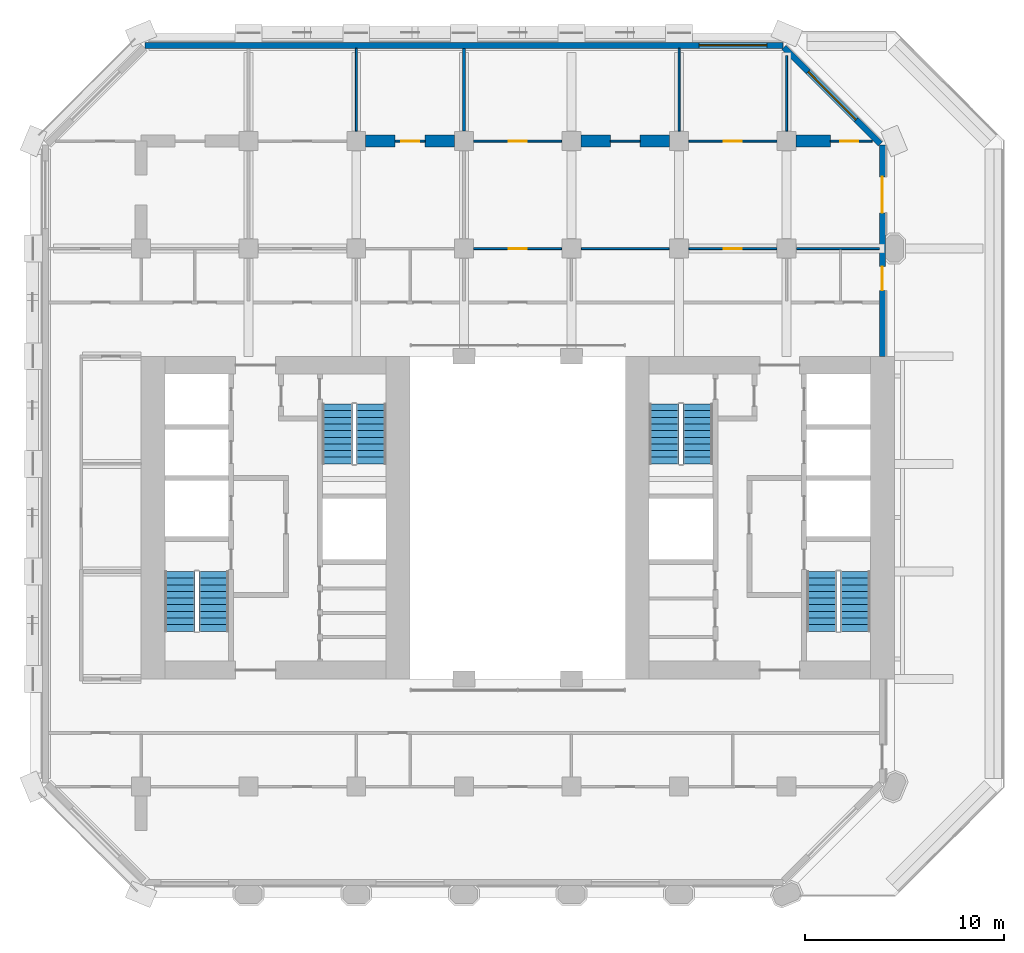
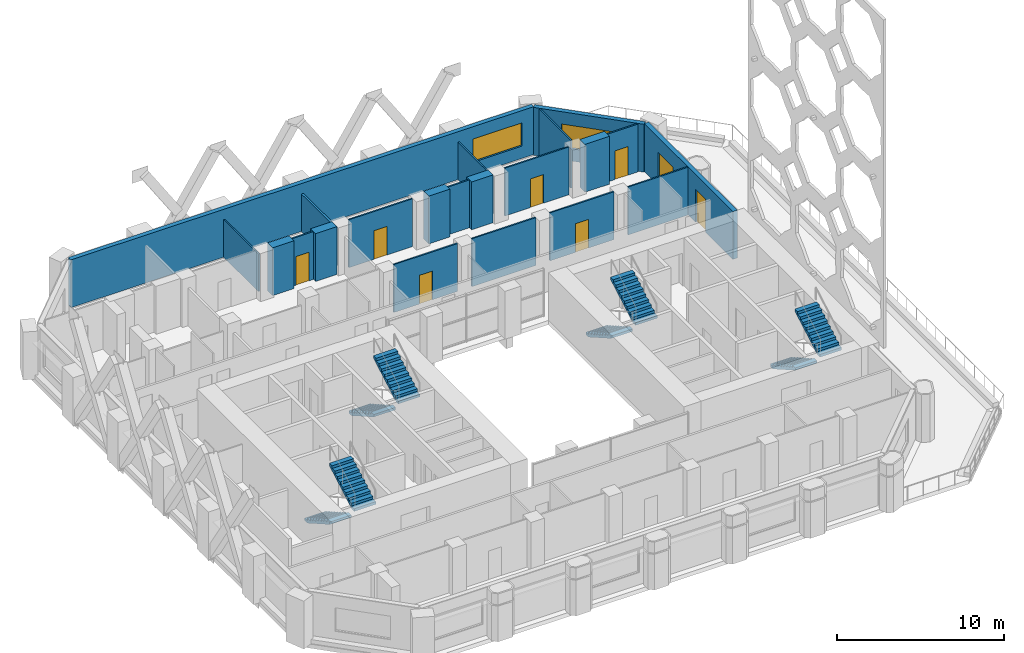
# One storey, part 10 of 14: 21 walls, 8 doors, 8 stair flights, 2 windows, 10 openings, 4 elements without a shape of their own.
"""IFC4 building model written with IfcOpenShell, lengths in metres."""

from ifc_helpers import new_model, si_unit, direction, frame, frame_2d, origin, place, context, subcontext, project, spatial, polyline, rectangle, outline, extrude, material, layer, layer_set, type_object, element, fill, aggregate, save


model = new_model("IFC4")

# Units and contexts
model_context = context("Model", 3, precision=1e-05, world=origin(), true_north=direction((0.0, 1.0)))
body_context = subcontext(model_context, "Body", "Model", "MODEL_VIEW")
ifc_project = project(units=[si_unit("LENGTHUNIT", "METRE"), si_unit("AREAUNIT", "SQUARE_METRE"), si_unit("VOLUMEUNIT", "CUBIC_METRE"), si_unit("PLANEANGLEUNIT", "RADIAN"), si_unit("MASSUNIT", "GRAM", prefix="KILO")], contexts=[model_context])

# Site, building, storey
site_placement = place(None, origin())
site = spatial("IfcSite", under=ifc_project, at=site_placement, CompositionType="ELEMENT")
building_placement = place(site_placement, origin())
building = spatial("IfcBuilding", under=site, at=building_placement, Name="Tabaq Tower and Sports Hall", CompositionType="ELEMENT")
storey_placement = place(building_placement, frame((0.0, 0.0, 95.39990234375)))
storey = spatial("IfcBuildingStorey", under=building, at=storey_placement, Name="L22", CompositionType="ELEMENT", Elevation=95.39990234375)

# Wall, opening, door
ifc_material_1 = material(Name="Gypsum board on steel studs", Category="steel")
ifc_layer_1 = layer(ifc_material_1, 0.10009765625)
ifc_layer_set_1 = layer_set([ifc_layer_1], Name="Partition 100 Gypsum board")
wall_type_1 = type_object("IfcWallType", Name="Partition 100 Gypsum board", PredefinedType="PARTITIONING", material=ifc_layer_set_1)
wall_1_placement = place(storey_placement, frame((19.64990234375, 43.199951171875, 0.0), z_axis=(0.0, 0.0, 1.0), x_axis=(-1.0, 0.0, 0.0)))
wall_1 = element("IfcWall", 1, at=wall_1_placement, inside=storey, type_object=wall_type_1, Name="Partition wall L22", PredefinedType="PARTITIONING", context=body_context, shape_type="SweptSolid", body=[
    extrude(rectangle(XDim=1.5, YDim=0.10009765625, at=frame_2d((0.75, 0.0))), origin(), (0.0, 0.0, 1.0), 3.5),
])
opening_1_placement = place(wall_1_placement, frame((0.300048828125, 0.0, 0.0)))
opening_1 = element("IfcOpeningElement", 2, at=opening_1_placement, cuts=wall_1, Name="Opening L22-013", PredefinedType="OPENING", context=body_context, shape_type="SweptSolid", body=[
    extrude(rectangle(XDim=0.89990234375, YDim=2.10009765625, at=frame_2d((0.449951171875, 1.050048828125))), frame((0.0, 0.050048828125, 0.0), z_axis=(0.0, -1.0, 0.0), x_axis=(1.0, 0.0, 0.0)), (0.0, 0.0, 1.0), 0.10009765625),
])
ifc_material_2 = material(Name="Timber leaf in steel frame", Category="steel")
door_type_1 = type_object("IfcDoorType", Name="Internal door 900 right hand", OperationType="SINGLE_SWING_RIGHT", PredefinedType="DOOR", material=ifc_material_2)
door_1_placement = place(opening_1_placement, origin())
door_1 = element("IfcDoor", 3, at=door_1_placement, inside=storey, type_object=door_type_1, Name="Internal door L22-013", OperationType="SINGLE_SWING_RIGHT", OverallHeight=2.10009765625, OverallWidth=0.89990234375, PredefinedType="DOOR", context=body_context, shape_type="SweptSolid", body=[
    extrude(rectangle(XDim=0.89990234375, YDim=2.10009765625, at=frame_2d((0.449951171875, 1.050048828125))), frame((0.0, 0.02490234375, 0.0), z_axis=(0.0, -1.0, 0.0), x_axis=(1.0, 0.0, 0.0)), (0.0, 0.0, 1.0), 0.050048828125),
])
fill(opening_1, door_1)

# Wall
wall_2_placement = place(storey_placement, frame((16.199951171875, 47.84912109375, 0.0), z_axis=(0.0, 0.0, 1.0), x_axis=(0.0, -1.0, 0.0)))
element("IfcWall", 4, at=wall_2_placement, inside=storey, type_object=wall_type_1, Name="Partition wall L22", PredefinedType="PARTITIONING", context=body_context, shape_type="SweptSolid", body=[
    extrude(rectangle(XDim=4.154052734375, YDim=0.10009765625, at=frame_2d((2.0771484375, 0.0))), origin(), (0.0, 0.0, 1.0), 2.75),
])

# Wall, opening, door
wall_3_placement = place(storey_placement, frame((26.5048828125, 37.800048828125, 0.0), z_axis=(0.0, 0.0, 1.0), x_axis=(-1.0, 0.0, 0.0)))
wall_3 = element("IfcWall", 5, at=wall_3_placement, inside=storey, type_object=wall_type_1, Name="Partition wall L22", PredefinedType="PARTITIONING", context=body_context, shape_type="SweptSolid", body=[
    extrude(rectangle(XDim=4.409912109375, YDim=0.10009765625, at=frame_2d((2.205078125, 0.0))), origin(), (0.0, 0.0, 1.0), 3.5),
])
opening_2_placement = place(wall_3_placement, frame((1.7548828125, 0.0, 0.0)))
opening_2 = element("IfcOpeningElement", 6, at=opening_2_placement, cuts=wall_3, Name="Opening L22-027", PredefinedType="OPENING", context=body_context, shape_type="SweptSolid", body=[
    extrude(rectangle(XDim=0.89990234375, YDim=2.10009765625, at=frame_2d((0.449951171875, 1.050048828125))), frame((0.0, 0.050048828125, 0.0), z_axis=(0.0, -1.0, 0.0), x_axis=(1.0, 0.0, 0.0)), (0.0, 0.0, 1.0), 0.10009765625),
])
door_2_placement = place(opening_2_placement, origin())
door_2 = element("IfcDoor", 7, at=door_2_placement, inside=storey, type_object=door_type_1, Name="Internal door L22-027", OperationType="SINGLE_SWING_RIGHT", OverallHeight=2.10009765625, OverallWidth=0.89990234375, PredefinedType="DOOR", context=body_context, shape_type="SweptSolid", body=[
    extrude(rectangle(XDim=0.89990234375, YDim=2.10009765625, at=frame_2d((0.449951171875, 1.050048828125))), frame((0.0, 0.02490234375, 0.0), z_axis=(0.0, -1.0, 0.0), x_axis=(1.0, 0.0, 0.0)), (0.0, 0.0, 1.0), 0.050048828125),
])
fill(opening_2, door_2)

wall_4_placement = place(storey_placement, frame((37.304931640625, 37.800048828125, 0.0), z_axis=(0.0, 0.0, 1.0), x_axis=(-1.0, 0.0, 0.0)))
wall_4 = element("IfcWall", 8, at=wall_4_placement, inside=storey, type_object=wall_type_1, Name="Partition wall L22", PredefinedType="PARTITIONING", context=body_context, shape_type="SweptSolid", body=[
    extrude(rectangle(XDim=4.409912109375, YDim=0.10009765625, at=frame_2d((2.205078125, 0.0))), origin(), (0.0, 0.0, 1.0), 3.5),
])
opening_3_placement = place(wall_4_placement, frame((1.7548828125, 0.0, 0.0)))
opening_3 = element("IfcOpeningElement", 9, at=opening_3_placement, cuts=wall_4, Name="Opening L22-014", PredefinedType="OPENING", context=body_context, shape_type="SweptSolid", body=[
    extrude(rectangle(XDim=0.89990234375, YDim=2.10009765625, at=frame_2d((0.449951171875, 1.050048828125))), frame((0.0, 0.050048828125, 0.0), z_axis=(0.0, -1.0, 0.0), x_axis=(1.0, 0.0, 0.0)), (0.0, 0.0, 1.0), 0.10009765625),
])
ifc_material_3 = material(Name="Timber leaf in steel frame", Category="steel")
door_type_2 = type_object("IfcDoorType", Name="Internal door 900 left hand", OperationType="SINGLE_SWING_LEFT", PredefinedType="DOOR", material=ifc_material_3)
door_3_placement = place(opening_3_placement, origin())
door_3 = element("IfcDoor", 10, at=door_3_placement, inside=storey, type_object=door_type_2, Name="Internal door L22-014", OperationType="SINGLE_SWING_LEFT", OverallHeight=2.10009765625, OverallWidth=0.89990234375, PredefinedType="DOOR", context=body_context, shape_type="SweptSolid", body=[
    extrude(rectangle(XDim=0.89990234375, YDim=2.10009765625, at=frame_2d((0.449951171875, 1.050048828125))), frame((0.0, 0.02490234375, 0.0), z_axis=(0.0, -1.0, 0.0), x_axis=(1.0, 0.0, 0.0)), (0.0, 0.0, 1.0), 0.050048828125),
])
fill(opening_3, door_3)

# Walls
wall_5_placement = place(storey_placement, frame((31.905029296875, 37.800048828125, 0.0), z_axis=(0.0, 0.0, 1.0), x_axis=(-1.0, 0.0, 0.0)))
element("IfcWall", 11, at=wall_5_placement, inside=storey, type_object=wall_type_1, Name="Partition wall L22", PredefinedType="PARTITIONING", context=body_context, shape_type="SweptSolid", body=[
    extrude(rectangle(XDim=4.409912109375, YDim=0.10009765625, at=frame_2d((2.205078125, 0.0))), origin(), (0.0, 0.0, 1.0), 3.5),
])
wall_6_placement = place(storey_placement, frame((42.448974609375, 37.800048828125, 0.0), z_axis=(0.0, 0.0, 1.0), x_axis=(-1.0, 0.0, 0.0)))
element("IfcWall", 12, at=wall_6_placement, inside=storey, type_object=wall_type_1, Name="Partition wall L22", PredefinedType="PARTITIONING", context=body_context, shape_type="SweptSolid", body=[
    extrude(rectangle(XDim=4.154052734375, YDim=0.10009765625, at=frame_2d((2.0771484375, 0.0))), origin(), (0.0, 0.0, 1.0), 3.5),
])

# Wall, opening, door
wall_7_placement = place(storey_placement, frame((42.087890625, 43.199951171875, 0.0), z_axis=(0.0, 0.0, 1.0), x_axis=(-1.0, 0.0, 0.0)))
wall_7 = element("IfcWall", 13, at=wall_7_placement, inside=storey, type_object=wall_type_1, Name="Partition wall L22", PredefinedType="PARTITIONING", context=body_context, shape_type="SweptSolid", body=[
    extrude(rectangle(XDim=2.100341796875, YDim=0.10009765625, at=frame_2d((1.05029296875, 0.0))), origin(), (0.0, 0.0, 1.0), 3.5),
])
opening_4_placement = place(wall_7_placement, frame((0.68798828125, 0.0, 0.0)))
opening_4 = element("IfcOpeningElement", 14, at=opening_4_placement, cuts=wall_7, Name="Opening L22-028", PredefinedType="OPENING", context=body_context, shape_type="SweptSolid", body=[
    extrude(rectangle(XDim=0.89990234375, YDim=2.10009765625, at=frame_2d((0.449951171875, 1.050048828125))), frame((0.0, 0.050048828125, 0.0), z_axis=(0.0, -1.0, 0.0), x_axis=(1.0, 0.0, 0.0)), (0.0, 0.0, 1.0), 0.10009765625),
])
door_4_placement = place(opening_4_placement, origin())
door_4 = element("IfcDoor", 15, at=door_4_placement, inside=storey, type_object=door_type_2, Name="Internal door L22-028", OperationType="SINGLE_SWING_LEFT", OverallHeight=2.10009765625, OverallWidth=0.89990234375, PredefinedType="DOOR", context=body_context, shape_type="SweptSolid", body=[
    extrude(rectangle(XDim=0.89990234375, YDim=2.10009765625, at=frame_2d((0.449951171875, 1.050048828125))), frame((0.0, 0.02490234375, 0.0), z_axis=(0.0, -1.0, 0.0), x_axis=(1.0, 0.0, 0.0)), (0.0, 0.0, 1.0), 0.050048828125),
])
fill(opening_4, door_4)

wall_8_placement = place(storey_placement, frame((37.304931640625, 43.199951171875, 0.0), z_axis=(0.0, 0.0, 1.0), x_axis=(-1.0, 0.0, 0.0)))
wall_8 = element("IfcWall", 16, at=wall_8_placement, inside=storey, type_object=wall_type_1, Name="Partition wall L22", PredefinedType="PARTITIONING", context=body_context, shape_type="SweptSolid", body=[
    extrude(rectangle(XDim=4.409912109375, YDim=0.10009765625, at=frame_2d((2.205078125, 0.0))), origin(), (0.0, 0.0, 1.0), 3.5),
])
opening_5_placement = place(wall_8_placement, frame((1.7548828125, 0.0, 0.0)))
opening_5 = element("IfcOpeningElement", 17, at=opening_5_placement, cuts=wall_8, Name="Opening L22-016", PredefinedType="OPENING", context=body_context, shape_type="SweptSolid", body=[
    extrude(rectangle(XDim=0.89990234375, YDim=2.10009765625, at=frame_2d((0.449951171875, 1.050048828125))), frame((0.0, 0.050048828125, 0.0), z_axis=(0.0, -1.0, 0.0), x_axis=(1.0, 0.0, 0.0)), (0.0, 0.0, 1.0), 0.10009765625),
])
door_5_placement = place(opening_5_placement, origin())
door_5 = element("IfcDoor", 18, at=door_5_placement, inside=storey, type_object=door_type_2, Name="Internal door L22-016", OperationType="SINGLE_SWING_LEFT", OverallHeight=2.10009765625, OverallWidth=0.89990234375, PredefinedType="DOOR", context=body_context, shape_type="SweptSolid", body=[
    extrude(rectangle(XDim=0.89990234375, YDim=2.10009765625, at=frame_2d((0.449951171875, 1.050048828125))), frame((0.0, 0.02490234375, 0.0), z_axis=(0.0, -1.0, 0.0), x_axis=(1.0, 0.0, 0.0)), (0.0, 0.0, 1.0), 0.050048828125),
])
fill(opening_5, door_5)

# Wall
wall_9_placement = place(storey_placement, frame((30.449951171875, 43.199951171875, 0.0), z_axis=(0.0, 0.0, 1.0), x_axis=(-1.0, 0.0, 0.0)))
element("IfcWall", 19, at=wall_9_placement, inside=storey, type_object=wall_type_1, Name="Partition wall L22", PredefinedType="PARTITIONING", context=body_context, shape_type="SweptSolid", body=[
    extrude(rectangle(XDim=1.5, YDim=0.10009765625, at=frame_2d((0.75, 0.0))), origin(), (0.0, 0.0, 1.0), 3.5),
])

# Wall, opening, door
wall_10_placement = place(storey_placement, frame((26.5048828125, 43.199951171875, 0.0), z_axis=(0.0, 0.0, 1.0), x_axis=(-1.0, 0.0, 0.0)))
wall_10 = element("IfcWall", 20, at=wall_10_placement, inside=storey, type_object=wall_type_1, Name="Partition wall L22", PredefinedType="PARTITIONING", context=body_context, shape_type="SweptSolid", body=[
    extrude(rectangle(XDim=4.409912109375, YDim=0.10009765625, at=frame_2d((2.205078125, 0.0))), origin(), (0.0, 0.0, 1.0), 3.5),
])
opening_6_placement = place(wall_10_placement, frame((1.7548828125, 0.0, 0.0)))
opening_6 = element("IfcOpeningElement", 21, at=opening_6_placement, cuts=wall_10, Name="Opening L22-015", PredefinedType="OPENING", context=body_context, shape_type="SweptSolid", body=[
    extrude(rectangle(XDim=0.89990234375, YDim=2.10009765625, at=frame_2d((0.449951171875, 1.050048828125))), frame((0.0, 0.050048828125, 0.0), z_axis=(0.0, -1.0, 0.0), x_axis=(1.0, 0.0, 0.0)), (0.0, 0.0, 1.0), 0.10009765625),
])
door_6_placement = place(opening_6_placement, origin())
door_6 = element("IfcDoor", 22, at=door_6_placement, inside=storey, type_object=door_type_2, Name="Internal door L22-015", OperationType="SINGLE_SWING_LEFT", OverallHeight=2.10009765625, OverallWidth=0.89990234375, PredefinedType="DOOR", context=body_context, shape_type="SweptSolid", body=[
    extrude(rectangle(XDim=0.89990234375, YDim=2.10009765625, at=frame_2d((0.449951171875, 1.050048828125))), frame((0.0, 0.02490234375, 0.0), z_axis=(0.0, -1.0, 0.0), x_axis=(1.0, 0.0, 0.0)), (0.0, 0.0, 1.0), 0.050048828125),
])
fill(opening_6, door_6)

# Walls
wall_11_placement = place(storey_placement, frame((32.39990234375, 47.84912109375, 0.0), z_axis=(0.0, 0.0, 1.0), x_axis=(0.0, -1.0, 0.0)))
element("IfcWall", 23, at=wall_11_placement, inside=storey, type_object=wall_type_1, Name="Partition wall L22", PredefinedType="PARTITIONING", context=body_context, shape_type="SweptSolid", body=[
    extrude(rectangle(XDim=4.154052734375, YDim=0.10009765625, at=frame_2d((2.0771484375, 0.0))), origin(), (0.0, 0.0, 1.0), 2.75),
])
wall_12_placement = place(storey_placement, frame((37.800048828125, 43.695068359375, 0.0), z_axis=(0.0, 0.0, 1.0), x_axis=(0.0, 1.0, 0.0)))
element("IfcWall", 24, at=wall_12_placement, inside=storey, type_object=wall_type_1, Name="Partition wall L22", PredefinedType="PARTITIONING", context=body_context, shape_type="SweptSolid", body=[
    extrude(rectangle(XDim=3.792724609375, YDim=0.10009765625, at=frame_2d((1.896484375, 0.0))), origin(), (0.0, 0.0, 1.0), 3.5),
])
ifc_material_4 = material(Name="Concrete C60/75", Category="concrete")
ifc_layer_2 = layer(ifc_material_4, 0.60009765625)
ifc_layer_set_2 = layer_set([ifc_layer_2], Name="RC TRANSFER WALL 600 C60/75")
wall_type_2 = type_object("IfcWallType", Name="RC TRANSFER WALL 600 C60/75", PredefinedType="SHEAR", material=ifc_layer_set_2)
wall_13_placement = place(storey_placement, frame((16.675048828125, 43.199951171875, 0.0), z_axis=(0.0, 0.0, 1.0), x_axis=(1.0, 0.0, 0.0)))
element("IfcWall", 25, at=wall_13_placement, inside=storey, type_object=wall_type_2, Name="Transfer Wall L22 North 7", PredefinedType="SHEAR", context=body_context, shape_type="SweptSolid", body=[
    extrude(rectangle(XDim=1.474853515625, YDim=0.60009765625, at=frame_2d((0.7373046875, 0.0))), origin(), (0.0, 0.0, 1.0), 3.5),
])
wall_14_placement = place(storey_placement, frame((19.64990234375, 43.199951171875, 0.0), z_axis=(0.0, 0.0, 1.0), x_axis=(1.0, 0.0, 0.0)))
element("IfcWall", 26, at=wall_14_placement, inside=storey, type_object=wall_type_2, Name="Transfer Wall L22 North 8", PredefinedType="SHEAR", context=body_context, shape_type="SweptSolid", body=[
    extrude(rectangle(XDim=1.47509765625, YDim=0.60009765625, at=frame_2d((0.737548828125, 0.0))), origin(), (0.0, 0.0, 1.0), 3.5),
])
wall_15_placement = place(storey_placement, frame((27.47509765625, 43.199951171875, 0.0), z_axis=(0.0, 0.0, 1.0), x_axis=(1.0, 0.0, 0.0)))
element("IfcWall", 27, at=wall_15_placement, inside=storey, type_object=wall_type_2, Name="Transfer Wall L22 North 9", PredefinedType="SHEAR", context=body_context, shape_type="SweptSolid", body=[
    extrude(rectangle(XDim=1.474853515625, YDim=0.60009765625, at=frame_2d((0.7373046875, 0.0))), origin(), (0.0, 0.0, 1.0), 3.5),
])
wall_16_placement = place(storey_placement, frame((30.449951171875, 43.199951171875, 0.0), z_axis=(0.0, 0.0, 1.0), x_axis=(1.0, 0.0, 0.0)))
element("IfcWall", 28, at=wall_16_placement, inside=storey, type_object=wall_type_2, Name="Transfer Wall L22 North 10", PredefinedType="SHEAR", context=body_context, shape_type="SweptSolid", body=[
    extrude(rectangle(XDim=1.47509765625, YDim=0.60009765625, at=frame_2d((0.737548828125, 0.0))), origin(), (0.0, 0.0, 1.0), 3.5),
])
wall_17_placement = place(storey_placement, frame((38.27490234375, 43.199951171875, 0.0), z_axis=(0.0, 0.0, 1.0), x_axis=(1.0, 0.0, 0.0)))
element("IfcWall", 29, at=wall_17_placement, inside=storey, type_object=wall_type_2, Name="Transfer Wall L22 North 11", PredefinedType="SHEAR", context=body_context, shape_type="SweptSolid", body=[
    extrude(rectangle(XDim=1.712646484375, YDim=0.60009765625, at=frame_2d((0.8564453125, 0.0))), origin(), (0.0, 0.0, 1.0), 3.5),
])
ifc_material_5 = material(Name="Blockwork", Category="masonry")
ifc_layer_3 = layer(ifc_material_5, 0.14990234375)
ifc_layer_set_3 = layer_set([ifc_layer_3], Name="Separating wall 150 Blockwork")
wall_type_3 = type_object("IfcWallType", Name="Separating wall 150 Blockwork", PredefinedType="PARTITIONING", material=ifc_layer_set_3)
wall_18_placement = place(storey_placement, frame((21.60009765625, 47.84912109375, 0.0), z_axis=(0.0, 0.0, 1.0), x_axis=(0.0, -1.0, 0.0)))
element("IfcWall", 30, at=wall_18_placement, inside=storey, type_object=wall_type_3, Name="Separating wall L22", PredefinedType="PARTITIONING", context=body_context, shape_type="SweptSolid", body=[
    extrude(rectangle(XDim=4.154052734375, YDim=0.14990234375, at=frame_2d((2.0771484375, 0.0))), origin(), (0.0, 0.0, 1.0), 2.75),
])

# Wall, openings, doors
ifc_material_6 = material(Name="White precast concrete C60/75", Category="concrete")
ifc_layer_4 = layer(ifc_material_6, 0.300048828125)
ifc_layer_set_4 = layer_set([ifc_layer_4], Name="White precast concrete C60/75 external wall 300")
wall_type_4 = type_object("IfcWallType", Name="White precast concrete C60/75 external wall 300", PredefinedType="SOLIDWALL", material=ifc_layer_set_4)
wall_19_placement = place(storey_placement, frame((42.60009765625, 32.39990234375, 0.0), z_axis=(0.0, 0.0, 1.0), x_axis=(0.0, 1.0, 0.0)))
wall_19 = element("IfcWall", 31, at=wall_19_placement, inside=storey, type_object=wall_type_4, Name="External Wall L22 E", PredefinedType="SOLIDWALL", context=body_context, shape_type="SweptSolid", body=[
    extrude(rectangle(XDim=10.61376953125, YDim=0.300048828125, at=frame_2d((5.306884765625, 0.0))), origin(), (0.0, 0.0, 1.0), 3.5),
])
opening_7_placement = place(wall_19_placement, frame((3.300048828125, 0.0, 0.0)))
opening_7 = element("IfcOpeningElement", 32, at=opening_7_placement, cuts=wall_19, Name="Opening TD2202", PredefinedType="OPENING", context=body_context, shape_type="SweptSolid", body=[
    extrude(rectangle(XDim=1.199951171875, YDim=2.39990234375, at=frame_2d((0.60009765625, 1.199951171875))), frame((0.0, 0.16015625, 0.0), z_axis=(0.0, -1.0, 0.0), x_axis=(1.0, 0.0, 0.0)), (0.0, 0.0, 1.0), 0.320068359375),
])
opening_8_placement = place(wall_19_placement, frame((7.199951171875, 0.0, 0.0)))
opening_8 = element("IfcOpeningElement", 33, at=opening_8_placement, cuts=wall_19, Name="Opening TD2203", PredefinedType="OPENING", context=body_context, shape_type="SweptSolid", body=[
    extrude(rectangle(XDim=1.800048828125, YDim=2.39990234375, at=frame_2d((0.89990234375, 1.199951171875))), frame((0.0, 0.16015625, 0.0), z_axis=(0.0, -1.0, 0.0), x_axis=(1.0, 0.0, 0.0)), (0.0, 0.0, 1.0), 0.320068359375),
])
ifc_material_7 = material(Name="Aluminium framed clear glazing", Category="aluminium")
door_type_3 = type_object("IfcDoorType", Name="Terrace door TD1", OperationType="DOUBLE_DOOR_DOUBLE_SWING", PredefinedType="DOOR", material=ifc_material_7)
door_7_placement = place(opening_8_placement, origin())
door_7 = element("IfcDoor", 34, at=door_7_placement, inside=storey, type_object=door_type_3, Name="Terrace door TD2203", OperationType="DOUBLE_DOOR_DOUBLE_SWING", OverallHeight=2.39990234375, OverallWidth=1.800048828125, PredefinedType="DOOR", context=body_context, shape_type="SweptSolid", body=[
    extrude(rectangle(XDim=1.800048828125, YDim=2.39990234375, at=frame_2d((0.89990234375, 1.199951171875))), frame((0.0, 0.02490234375, 0.0), z_axis=(0.0, -1.0, 0.0), x_axis=(1.0, 0.0, 0.0)), (0.0, 0.0, 1.0), 0.050048828125),
])
fill(opening_8, door_7)
ifc_material_8 = material(Name="Aluminium framed clear glazing", Category="aluminium")
door_type_4 = type_object("IfcDoorType", Name="Terrace door TD2", OperationType="SINGLE_SWING_LEFT", PredefinedType="DOOR", material=ifc_material_8)
door_8_placement = place(opening_7_placement, origin())
door_8 = element("IfcDoor", 35, at=door_8_placement, inside=storey, type_object=door_type_4, Name="Terrace door TD2202", OperationType="SINGLE_SWING_LEFT", OverallHeight=2.39990234375, OverallWidth=1.199951171875, PredefinedType="DOOR", context=body_context, shape_type="SweptSolid", body=[
    extrude(rectangle(XDim=1.199951171875, YDim=2.39990234375, at=frame_2d((0.60009765625, 1.199951171875))), frame((0.0, 0.02490234375, 0.0), z_axis=(0.0, -1.0, 0.0), x_axis=(1.0, 0.0, 0.0)), (0.0, 0.0, 1.0), 0.050048828125),
])
fill(opening_7, door_8)

# Wall, opening, window
wall_20_placement = place(storey_placement, frame((42.5009765625, 43.050537109375, 0.0), z_axis=(0.0, 0.0, 1.0), x_axis=(-0.707106781187, 0.707106781187, 0.0)))
wall_20 = element("IfcWall", 36, at=wall_20_placement, inside=storey, type_object=wall_type_4, Name="External Wall L22 NE", PredefinedType="SOLIDWALL", context=body_context, shape_type="SweptSolid", body=[
    extrude(rectangle(XDim=6.85986328125, YDim=0.300048828125, at=frame_2d((3.429931640625, 0.0))), origin(), (0.0, 0.0, 1.0), 3.5),
])
opening_9_placement = place(wall_20_placement, frame((1.729736328125, 0.0, 0.89990234375)))
opening_9 = element("IfcOpeningElement", 37, at=opening_9_placement, cuts=wall_20, Name="Opening W1A", PredefinedType="OPENING", context=body_context, shape_type="SweptSolid", body=[
    extrude(rectangle(XDim=3.39990234375, YDim=1.699951171875, at=frame_2d((1.699951171875, 0.85009765625))), frame((0.0, 0.16015625, 0.0), z_axis=(0.0, -1.0, 0.0), x_axis=(1.0, 0.0, 0.0)), (0.0, 0.0, 1.0), 0.320068359375),
])
ifc_material_9 = material(Name="Aluminium framed clear glazing", Category="aluminium")
window_type = type_object("IfcWindowType", Name="Window W1A", PartitioningType="SINGLE_PANEL", PredefinedType="WINDOW", material=ifc_material_9)
window_1_placement = place(opening_9_placement, origin())
window_1 = element("IfcWindow", 38, at=window_1_placement, inside=storey, type_object=window_type, Name="Window W1A L22", OverallHeight=1.699951171875, OverallWidth=3.39990234375, PartitioningType="SINGLE_PANEL", PredefinedType="WINDOW", context=body_context, shape_type="SweptSolid", body=[
    extrude(rectangle(XDim=3.39990234375, YDim=1.699951171875, at=frame_2d((1.699951171875, 0.85009765625))), frame((0.0, 0.030029296875, 0.0), z_axis=(0.0, -1.0, 0.0), x_axis=(1.0, 0.0, 0.0)), (0.0, 0.0, 1.0), 0.06005859375),
])
fill(opening_9, window_1)

wall_21_placement = place(storey_placement, frame((37.613525390625, 48.0, 0.0), z_axis=(0.0, 0.0, 1.0), x_axis=(-1.0, 0.0, 0.0)))
wall_21 = element("IfcWall", 39, at=wall_21_placement, inside=storey, type_object=wall_type_4, Name="External Wall L22 N", PredefinedType="SOLIDWALL", context=body_context, shape_type="SweptSolid", body=[
    extrude(rectangle(XDim=32.027099609375, YDim=0.300048828125, at=frame_2d((16.013671875, 0.0))), origin(), (0.0, 0.0, 1.0), 3.5),
])
opening_10_placement = place(wall_21_placement, frame((0.813720703125, 0.0, 0.89990234375)))
opening_10 = element("IfcOpeningElement", 40, at=opening_10_placement, cuts=wall_21, Name="Opening W1A", PredefinedType="OPENING", context=body_context, shape_type="SweptSolid", body=[
    extrude(rectangle(XDim=3.39990234375, YDim=1.699951171875, at=frame_2d((1.699951171875, 0.85009765625))), frame((0.0, 0.16015625, 0.0), z_axis=(0.0, -1.0, 0.0), x_axis=(1.0, 0.0, 0.0)), (0.0, 0.0, 1.0), 0.320068359375),
])
window_2_placement = place(opening_10_placement, origin())
window_2 = element("IfcWindow", 41, at=window_2_placement, inside=storey, type_object=window_type, Name="Window W1A L22", OverallHeight=1.699951171875, OverallWidth=3.39990234375, PartitioningType="SINGLE_PANEL", PredefinedType="WINDOW", context=body_context, shape_type="SweptSolid", body=[
    extrude(rectangle(XDim=3.39990234375, YDim=1.699951171875, at=frame_2d((1.699951171875, 0.85009765625))), frame((0.0, 0.030029296875, 0.0), z_axis=(0.0, -1.0, 0.0), x_axis=(1.0, 0.0, 0.0)), (0.0, 0.0, 1.0), 0.06005859375),
])
fill(opening_10, window_2)

# Stair, stair flights
ifc_material_10 = material(Name="Concrete C40/50", Category="concrete")
stair_type = type_object("IfcStairType", Name="Exit stair", PredefinedType="HALF_TURN_STAIR", material=ifc_material_10)
stair_1_placement = place(storey_placement, origin())
stair_1 = element("IfcStair", 42, at=stair_1_placement, inside=storey, type_object=stair_type, Name="L22 Exit stair ST1", PredefinedType="HALF_TURN_STAIR")
ifc_material_11 = material(Name="Concrete C40/50", Category="concrete")
stair_flight_type = type_object("IfcStairFlightType", Name="Exit stair flight", PredefinedType="STRAIGHT", material=ifc_material_11)
stair_flight_1_placement = place(storey_placement, frame((7.35009765625, 21.60009765625, 0.0), z_axis=(0.0, 0.0, 1.0), x_axis=(0.0, -1.0, 0.0)))
stair_flight_1 = element("IfcStairFlight", 43, at=stair_flight_1_placement, type_object=stair_flight_type, Name="ST1 flight 1", NumberOfRisers=10, NumberOfTreads=9, PredefinedType="STRAIGHT", RiserHeight=0.19, TreadLength=0.333333333, context=body_context, shape_type="SweptSolid", body=[
    extrude(outline(polyline([(0.0, 0.0), (0.0, 0.18994140625), (0.333251953125, 0.18994140625), (0.333251953125, 0.3798828125), (0.666748046875, 0.3798828125), (0.666748046875, 0.570068359375), (1.0, 0.570068359375), (1.0, 0.760009765625), (1.333251953125, 0.760009765625), (1.333251953125, 0.949951171875), (1.666748046875, 0.949951171875), (1.666748046875, 1.139892578125), (2.0, 1.139892578125), (2.0, 1.330078125), (2.333251953125, 1.330078125), (2.333251953125, 1.52001953125), (2.666748046875, 1.52001953125), (2.666748046875, 1.7099609375), (3.0, 1.7099609375), (3.0, 1.89990234375), (3.0, 1.537353515625), (0.302734375, 0.0), (0.0, 0.0)])), frame((0.0, 0.75, 0.0), z_axis=(0.0, -1.0, 0.0), x_axis=(1.0, 0.0, 0.0)), (0.0, 0.0, 1.0), 1.5),
])
stair_flight_2_placement = place(storey_placement, frame((9.050048828125, 18.60009765625, 1.900146484375), z_axis=(0.0, 0.0, 1.0), x_axis=(0.0, 1.0, 0.0)))
stair_flight_2 = element("IfcStairFlight", 44, at=stair_flight_2_placement, type_object=stair_flight_type, Name="ST1 flight 2", NumberOfRisers=10, NumberOfTreads=9, PredefinedType="STRAIGHT", RiserHeight=0.19, TreadLength=0.333333333, context=body_context, shape_type="SweptSolid", body=[
    extrude(outline(polyline([(0.0, 0.0), (0.0, 0.18994140625), (0.333251953125, 0.18994140625), (0.333251953125, 0.3798828125), (0.666748046875, 0.3798828125), (0.666748046875, 0.570068359375), (1.0, 0.570068359375), (1.0, 0.760009765625), (1.333251953125, 0.760009765625), (1.333251953125, 0.949951171875), (1.666748046875, 0.949951171875), (1.666748046875, 1.139892578125), (2.0, 1.139892578125), (2.0, 1.330078125), (2.333251953125, 1.330078125), (2.333251953125, 1.52001953125), (2.666748046875, 1.52001953125), (2.666748046875, 1.7099609375), (3.0, 1.7099609375), (3.0, 1.89990234375), (3.0, 1.537353515625), (0.302734375, 0.0), (0.0, 0.0)])), frame((0.0, 0.75, 0.0), z_axis=(0.0, -1.0, 0.0), x_axis=(1.0, 0.0, 0.0)), (0.0, 0.0, 1.0), 1.5),
])
aggregate(stair_1, [stair_flight_1, stair_flight_2])

stair_2_placement = place(storey_placement, origin())
stair_2 = element("IfcStair", 45, at=stair_2_placement, inside=storey, type_object=stair_type, Name="L22 Exit stair ST2", PredefinedType="HALF_TURN_STAIR")
stair_flight_3_placement = place(storey_placement, frame((15.25, 30.0, 0.0), z_axis=(0.0, 0.0, 1.0), x_axis=(0.0, -1.0, 0.0)))
stair_flight_3 = element("IfcStairFlight", 46, at=stair_flight_3_placement, type_object=stair_flight_type, Name="ST2 flight 1", NumberOfRisers=10, NumberOfTreads=9, PredefinedType="STRAIGHT", RiserHeight=0.19, TreadLength=0.333333333, context=body_context, shape_type="SweptSolid", body=[
    extrude(outline(polyline([(0.0, 0.0), (0.0, 0.18994140625), (0.333251953125, 0.18994140625), (0.333251953125, 0.3798828125), (0.666748046875, 0.3798828125), (0.666748046875, 0.570068359375), (1.0, 0.570068359375), (1.0, 0.760009765625), (1.333251953125, 0.760009765625), (1.333251953125, 0.949951171875), (1.666748046875, 0.949951171875), (1.666748046875, 1.139892578125), (2.0, 1.139892578125), (2.0, 1.330078125), (2.333251953125, 1.330078125), (2.333251953125, 1.52001953125), (2.666748046875, 1.52001953125), (2.666748046875, 1.7099609375), (3.0, 1.7099609375), (3.0, 1.89990234375), (3.0, 1.537353515625), (0.302734375, 0.0), (0.0, 0.0)])), frame((0.0, 0.75, 0.0), z_axis=(0.0, -1.0, 0.0), x_axis=(1.0, 0.0, 0.0)), (0.0, 0.0, 1.0), 1.5),
])
stair_flight_4_placement = place(storey_placement, frame((16.949951171875, 27.0, 1.900146484375), z_axis=(0.0, 0.0, 1.0), x_axis=(0.0, 1.0, 0.0)))
stair_flight_4 = element("IfcStairFlight", 47, at=stair_flight_4_placement, type_object=stair_flight_type, Name="ST2 flight 2", NumberOfRisers=10, NumberOfTreads=9, PredefinedType="STRAIGHT", RiserHeight=0.19, TreadLength=0.333333333, context=body_context, shape_type="SweptSolid", body=[
    extrude(outline(polyline([(0.0, 0.0), (0.0, 0.18994140625), (0.333251953125, 0.18994140625), (0.333251953125, 0.3798828125), (0.666748046875, 0.3798828125), (0.666748046875, 0.570068359375), (1.0, 0.570068359375), (1.0, 0.760009765625), (1.333251953125, 0.760009765625), (1.333251953125, 0.949951171875), (1.666748046875, 0.949951171875), (1.666748046875, 1.139892578125), (2.0, 1.139892578125), (2.0, 1.330078125), (2.333251953125, 1.330078125), (2.333251953125, 1.52001953125), (2.666748046875, 1.52001953125), (2.666748046875, 1.7099609375), (3.0, 1.7099609375), (3.0, 1.89990234375), (3.0, 1.537353515625), (0.302734375, 0.0), (0.0, 0.0)])), frame((0.0, 0.75, 0.0), z_axis=(0.0, -1.0, 0.0), x_axis=(1.0, 0.0, 0.0)), (0.0, 0.0, 1.0), 1.5),
])
aggregate(stair_2, [stair_flight_3, stair_flight_4])

stair_3_placement = place(storey_placement, origin())
stair_3 = element("IfcStair", 48, at=stair_3_placement, inside=storey, type_object=stair_type, Name="L22 Exit stair ST3", PredefinedType="HALF_TURN_STAIR")
stair_flight_5_placement = place(storey_placement, frame((39.550048828125, 21.60009765625, 0.0), z_axis=(0.0, 0.0, 1.0), x_axis=(0.0, -1.0, 0.0)))
stair_flight_5 = element("IfcStairFlight", 49, at=stair_flight_5_placement, type_object=stair_flight_type, Name="ST3 flight 1", NumberOfRisers=10, NumberOfTreads=9, PredefinedType="STRAIGHT", RiserHeight=0.19, TreadLength=0.333333333, context=body_context, shape_type="SweptSolid", body=[
    extrude(outline(polyline([(0.0, 0.0), (0.0, 0.18994140625), (0.333251953125, 0.18994140625), (0.333251953125, 0.3798828125), (0.666748046875, 0.3798828125), (0.666748046875, 0.570068359375), (1.0, 0.570068359375), (1.0, 0.760009765625), (1.333251953125, 0.760009765625), (1.333251953125, 0.949951171875), (1.666748046875, 0.949951171875), (1.666748046875, 1.139892578125), (2.0, 1.139892578125), (2.0, 1.330078125), (2.333251953125, 1.330078125), (2.333251953125, 1.52001953125), (2.666748046875, 1.52001953125), (2.666748046875, 1.7099609375), (3.0, 1.7099609375), (3.0, 1.89990234375), (3.0, 1.537353515625), (0.302734375, 0.0), (0.0, 0.0)])), frame((0.0, 0.75, 0.0), z_axis=(0.0, -1.0, 0.0), x_axis=(1.0, 0.0, 0.0)), (0.0, 0.0, 1.0), 1.5),
])
stair_flight_6_placement = place(storey_placement, frame((41.25, 18.60009765625, 1.900146484375), z_axis=(0.0, 0.0, 1.0), x_axis=(0.0, 1.0, 0.0)))
stair_flight_6 = element("IfcStairFlight", 50, at=stair_flight_6_placement, type_object=stair_flight_type, Name="ST3 flight 2", NumberOfRisers=10, NumberOfTreads=9, PredefinedType="STRAIGHT", RiserHeight=0.19, TreadLength=0.333333333, context=body_context, shape_type="SweptSolid", body=[
    extrude(outline(polyline([(0.0, 0.0), (0.0, 0.18994140625), (0.333251953125, 0.18994140625), (0.333251953125, 0.3798828125), (0.666748046875, 0.3798828125), (0.666748046875, 0.570068359375), (1.0, 0.570068359375), (1.0, 0.760009765625), (1.333251953125, 0.760009765625), (1.333251953125, 0.949951171875), (1.666748046875, 0.949951171875), (1.666748046875, 1.139892578125), (2.0, 1.139892578125), (2.0, 1.330078125), (2.333251953125, 1.330078125), (2.333251953125, 1.52001953125), (2.666748046875, 1.52001953125), (2.666748046875, 1.7099609375), (3.0, 1.7099609375), (3.0, 1.89990234375), (3.0, 1.537353515625), (0.302734375, 0.0), (0.0, 0.0)])), frame((0.0, 0.75, 0.0), z_axis=(0.0, -1.0, 0.0), x_axis=(1.0, 0.0, 0.0)), (0.0, 0.0, 1.0), 1.5),
])
aggregate(stair_3, [stair_flight_5, stair_flight_6])

stair_4_placement = place(storey_placement, origin())
stair_4 = element("IfcStair", 51, at=stair_4_placement, inside=storey, type_object=stair_type, Name="L22 Exit stair ST4", PredefinedType="HALF_TURN_STAIR")
stair_flight_7_placement = place(storey_placement, frame((31.64990234375, 30.0, 0.0), z_axis=(0.0, 0.0, 1.0), x_axis=(0.0, -1.0, 0.0)))
stair_flight_7 = element("IfcStairFlight", 52, at=stair_flight_7_placement, type_object=stair_flight_type, Name="ST4 flight 1", NumberOfRisers=10, NumberOfTreads=9, PredefinedType="STRAIGHT", RiserHeight=0.19, TreadLength=0.333333333, context=body_context, shape_type="SweptSolid", body=[
    extrude(outline(polyline([(0.0, 0.0), (0.0, 0.18994140625), (0.333251953125, 0.18994140625), (0.333251953125, 0.3798828125), (0.666748046875, 0.3798828125), (0.666748046875, 0.570068359375), (1.0, 0.570068359375), (1.0, 0.760009765625), (1.333251953125, 0.760009765625), (1.333251953125, 0.949951171875), (1.666748046875, 0.949951171875), (1.666748046875, 1.139892578125), (2.0, 1.139892578125), (2.0, 1.330078125), (2.333251953125, 1.330078125), (2.333251953125, 1.52001953125), (2.666748046875, 1.52001953125), (2.666748046875, 1.7099609375), (3.0, 1.7099609375), (3.0, 1.89990234375), (3.0, 1.537353515625), (0.302734375, 0.0), (0.0, 0.0)])), frame((0.0, 0.75, 0.0), z_axis=(0.0, -1.0, 0.0), x_axis=(1.0, 0.0, 0.0)), (0.0, 0.0, 1.0), 1.5),
])
stair_flight_8_placement = place(storey_placement, frame((33.35009765625, 27.0, 1.900146484375), z_axis=(0.0, 0.0, 1.0), x_axis=(0.0, 1.0, 0.0)))
stair_flight_8 = element("IfcStairFlight", 53, at=stair_flight_8_placement, type_object=stair_flight_type, Name="ST4 flight 2", NumberOfRisers=10, NumberOfTreads=9, PredefinedType="STRAIGHT", RiserHeight=0.19, TreadLength=0.333333333, context=body_context, shape_type="SweptSolid", body=[
    extrude(outline(polyline([(0.0, 0.0), (0.0, 0.18994140625), (0.333251953125, 0.18994140625), (0.333251953125, 0.3798828125), (0.666748046875, 0.3798828125), (0.666748046875, 0.570068359375), (1.0, 0.570068359375), (1.0, 0.760009765625), (1.333251953125, 0.760009765625), (1.333251953125, 0.949951171875), (1.666748046875, 0.949951171875), (1.666748046875, 1.139892578125), (2.0, 1.139892578125), (2.0, 1.330078125), (2.333251953125, 1.330078125), (2.333251953125, 1.52001953125), (2.666748046875, 1.52001953125), (2.666748046875, 1.7099609375), (3.0, 1.7099609375), (3.0, 1.89990234375), (3.0, 1.537353515625), (0.302734375, 0.0), (0.0, 0.0)])), frame((0.0, 0.75, 0.0), z_axis=(0.0, -1.0, 0.0), x_axis=(1.0, 0.0, 0.0)), (0.0, 0.0, 1.0), 1.5),
])
aggregate(stair_4, [stair_flight_7, stair_flight_8])

save(model, "model.ifc")
